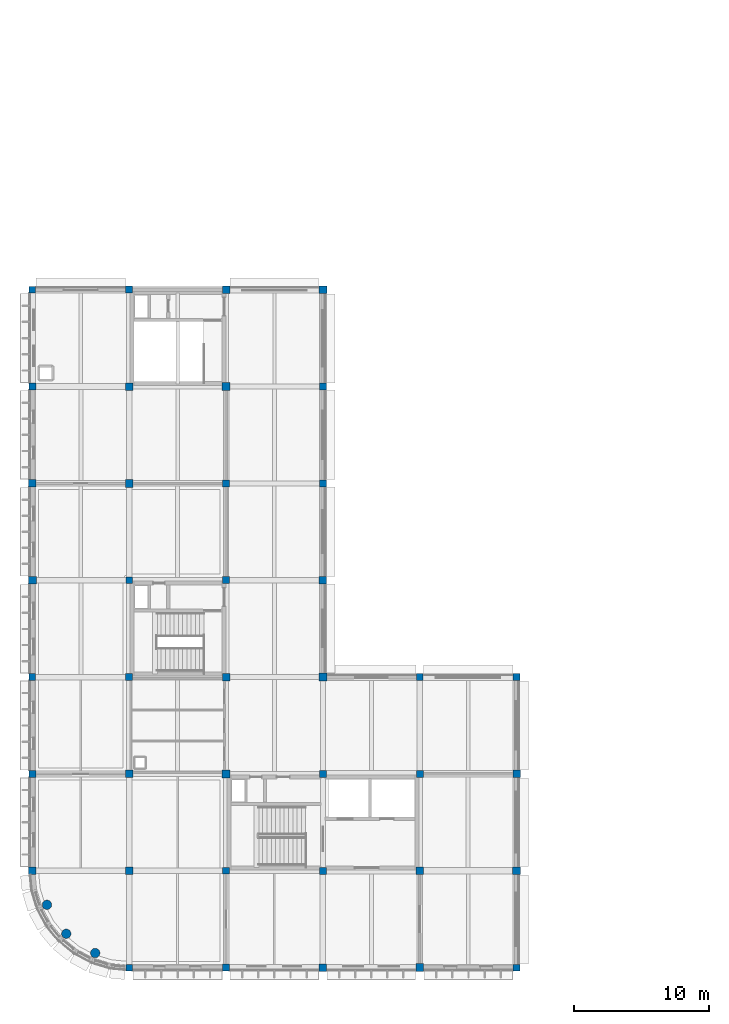
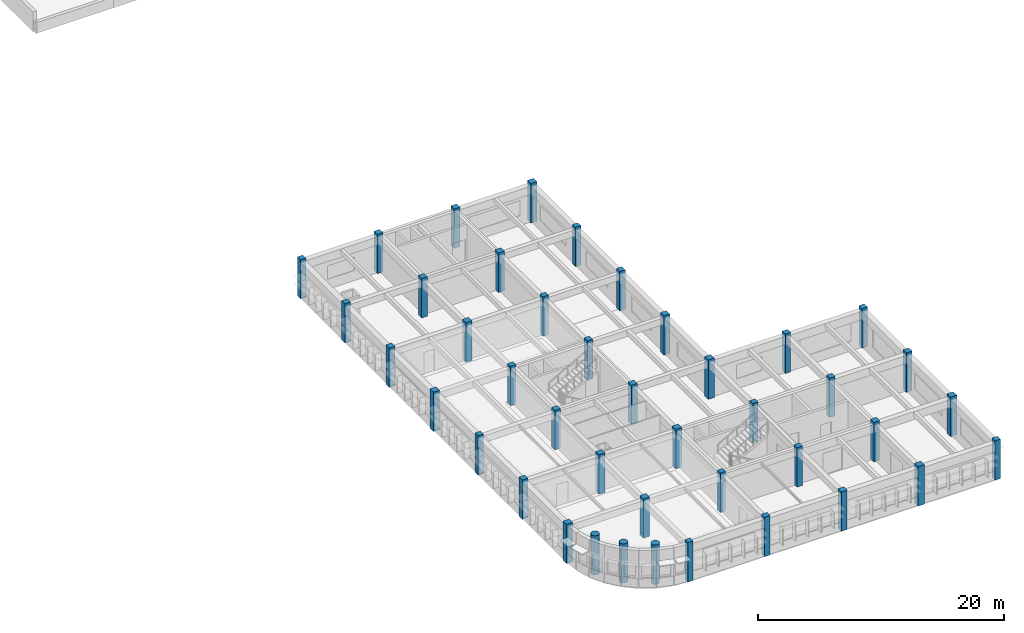
# One storey, part 1 of 19: 42 columns.
"""IFC4 building model written with IfcOpenShell, lengths in metres."""

import ifcopenshell
import ifcopenshell.guid

model = None  # the IFC model being written
_history = None  # IfcOwnerHistory: only IFC2X3 demands one
_inside = {}  # id of a spatial element -> (the spatial element, [elements in it])
_under = {}  # id of a project, library or spatial element -> (it, [spatial elements below it])
_declared = {}  # id of a project -> (the project, [libraries it declares])
_typed = {}  # id of a type object -> (the type object, [elements of that type])
_made_of = {}  # id of a material, layer set ... -> (it, [elements and type objects made of it])


def new_model(schema):
    """Start an empty IFC model of exactly this schema.

    Asked for "IFC4X3", IfcOpenShell would pick the latest addendum, in which some entities
    have other attributes; the version numbers below select the first issue.
    IFC2X3 requires an IfcOwnerHistory on every rooted entity: one is made here for all.
    """
    global model, _history
    if schema == "IFC4X3":
        model = ifcopenshell.file(schema_version=(4, 3, 0, 0))
    else:
        model = ifcopenshell.file(schema=schema)
    _inside.clear()
    _under.clear()
    _declared.clear()
    _typed.clear()
    _made_of.clear()
    _history = None
    if model.schema == "IFC2X3":
        org = make("IfcOrganization", Name="unknown")
        user = make(
            "IfcPersonAndOrganization",
            ThePerson=make("IfcPerson", FamilyName="unknown"),
            TheOrganization=org,
        )
        app = make(
            "IfcApplication",
            ApplicationDeveloper=org,
            Version="unknown",
            ApplicationFullName="unknown",
            ApplicationIdentifier="unknown",
        )
        _history = make(
            "IfcOwnerHistory",
            OwningUser=user,
            OwningApplication=app,
            ChangeAction="ADDED",
            CreationDate=0,
        )
    return model


def make(cls, **values):
    """One entity of the class cls with the attributes given. An attribute that is None is left unset."""
    return model.create_entity(
        cls, **{name: value for name, value in values.items() if value is not None}
    )


def rooted(cls, **values):
    """An entity with a GlobalId (a new one), such as an element, a storey or a relation."""
    return make(cls, GlobalId=ifcopenshell.guid.new(), OwnerHistory=_history, **values)


def si_unit(unit_type, name, prefix=None):
    """IfcSIUnit, for example si_unit("LENGTHUNIT", "METRE", prefix="MILLI")."""
    return make("IfcSIUnit", UnitType=unit_type, Prefix=prefix, Name=name)


def assignment(units):
    """IfcUnitAssignment: the units of a project."""
    return None if units is None else make("IfcUnitAssignment", Units=units)


def point(xyz):
    """IfcCartesianPoint."""
    return None if xyz is None else make("IfcCartesianPoint", Coordinates=xyz)


def direction(xyz):
    """IfcDirection."""
    return None if xyz is None else make("IfcDirection", DirectionRatios=xyz)


def frame(location, z_axis=None, x_axis=None):
    """IfcAxis2Placement3D, a coordinate frame: its origin and axes. An axis left out is left unset."""
    return make(
        "IfcAxis2Placement3D",
        Location=point(location),
        Axis=direction(z_axis),
        RefDirection=direction(x_axis),
    )


def frame_2d(location, x_axis=None):
    """IfcAxis2Placement2D, a coordinate frame in the plane: its origin and x axis."""
    return make(
        "IfcAxis2Placement2D", Location=point(location), RefDirection=direction(x_axis)
    )


def origin():
    """The frame at (0, 0, 0) with its axes left unset."""
    return frame((0.0, 0.0, 0.0))


def origin_2d():
    """The frame at (0, 0) in the plane with its x axis left unset."""
    return frame_2d((0.0, 0.0))


def place(relative_to, where):
    """IfcLocalPlacement: puts the frame where relative to a parent placement (None: the world)."""
    return make(
        "IfcLocalPlacement", PlacementRelTo=relative_to, RelativePlacement=where
    )


def context(
    kind, dimensions, precision=None, world=None, true_north=None, identifier=None
):
    """IfcGeometricRepresentationContext, for example the 3D "Model" context."""
    return make(
        "IfcGeometricRepresentationContext",
        ContextIdentifier=identifier,
        ContextType=kind,
        CoordinateSpaceDimension=dimensions,
        Precision=precision,
        WorldCoordinateSystem=world,
        TrueNorth=true_north,
    )


def subcontext(parent, identifier, kind, view, scale=None):
    """IfcGeometricRepresentationSubContext, for example "Body" below "Model"."""
    return make(
        "IfcGeometricRepresentationSubContext",
        ContextIdentifier=identifier,
        ContextType=kind,
        ParentContext=parent,
        TargetScale=scale,
        TargetView=view,
    )


def project(units=None, contexts=None):
    """IfcProject with its units and contexts."""
    return rooted(
        "IfcProject",
        Name="project",
        RepresentationContexts=contexts,
        UnitsInContext=assignment(units),
    )


def spatial(cls, under=None, at=None, **own):
    """A site, building, storey or space (cls), placed at a placement, below another one or the project."""
    s = rooted(cls, ObjectPlacement=at, **own)
    if under is not None:
        _under.setdefault(under.id(), (under, []))[1].append(s)
    return s


def profile(cls, at=None, kind="AREA", **sizes):
    """A parametric profile (cls). Its sizes go by their IFC names, for example OverallWidth=200.0."""
    return make(cls, ProfileType=kind, Position=at, **sizes)


def rectangle(**sizes):
    """IfcRectangleProfileDef."""
    return profile("IfcRectangleProfileDef", **sizes)


def circle(**sizes):
    """IfcCircleProfileDef."""
    return profile("IfcCircleProfileDef", **sizes)


def extrude(swept, where, along, depth):
    """IfcExtrudedAreaSolid: the profile swept, set in the frame where, extruded along a direction by depth."""
    return make(
        "IfcExtrudedAreaSolid",
        SweptArea=swept,
        Position=where,
        ExtrudedDirection=direction(along),
        Depth=depth,
    )


def shape(context_of_items, identifier, shape_type, items):
    """IfcShapeRepresentation: the items that make up one representation, for example the "Body"."""
    return make(
        "IfcShapeRepresentation",
        ContextOfItems=context_of_items,
        RepresentationIdentifier=identifier,
        RepresentationType=shape_type,
        Items=items,
    )


def material(Name=None, Category=None):
    """IfcMaterial."""
    return make("IfcMaterial", Name=Name, Category=Category)


def material_profile(
    of_material, cross_section, Name=None, Category=None, Priority=None
):
    """IfcMaterialProfile: a cross section and its material."""
    return make(
        "IfcMaterialProfile",
        Name=Name,
        Material=of_material,
        Profile=cross_section,
        Priority=Priority,
        Category=Category,
    )


def profile_set(profiles, Name=None, composite=None):
    """IfcMaterialProfileSet."""
    return make(
        "IfcMaterialProfileSet",
        Name=Name,
        MaterialProfiles=profiles,
        CompositeProfile=composite,
    )


def made_of(thing, what):
    """Note that an element or type object is made of a material, layer set ...; save() writes the relation."""
    if what is not None:
        _made_of.setdefault(what.id(), (what, []))[1].append(thing)
    return thing


def type_object(cls, material=None, **own):
    """A type object (cls), such as IfcWallType, which elements share."""
    return made_of(rooted(cls, **own), material)


def element(
    cls,
    number,
    at=None,
    inside=None,
    cuts=None,
    type_object=None,
    material=None,
    context=None,
    identifier="Body",
    shape_type=None,
    held_by="IfcProductDefinitionShape",
    body=None,
    shapes=None,
    **own,
):
    """One element of the class cls, such as IfcWall. Its Tag is "e" and its number.

    at: its placement. inside: the storey or other place that contains it. cuts: it is an
    opening in that element (IfcRelVoidsElement). A single representation is given by context,
    identifier, shape_type and body (its items); several are given by shapes. held_by: the class
    of the entity that holds the representations. save() writes the other relations.
    """
    e = rooted(cls, Tag="e%d" % number, ObjectPlacement=at, **own)
    if body is not None:
        shapes = [shape(context, identifier, shape_type, body)]
    if shapes is not None:
        e.Representation = make(held_by, Representations=shapes)
    if inside is not None:
        _inside.setdefault(inside.id(), (inside, []))[1].append(e)
    if cuts is not None:
        rooted(
            "IfcRelVoidsElement", RelatingBuildingElement=cuts, RelatedOpeningElement=e
        )
    if type_object is not None:
        _typed.setdefault(type_object.id(), (type_object, []))[1].append(e)
    return made_of(e, material)


def aggregate(whole, parts):
    """IfcRelAggregates: a whole, such as a stair, and the parts it consists of."""
    return rooted("IfcRelAggregates", RelatingObject=whole, RelatedObjects=parts)


def save(model, path):
    """Write the relations noted so far, then the file.

    IfcRelAggregates (storeys below a building ...), IfcRelContainedInSpatialStructure (elements
    in a storey), IfcRelDefinesByType, IfcRelAssociatesMaterial and IfcRelDeclares: one each for
    every whole, place, type object, material and project.
    """
    for whole, parts in _under.values():
        aggregate(whole, parts)
    for where, things in _inside.values():
        rooted(
            "IfcRelContainedInSpatialStructure",
            RelatedElements=things,
            RelatingStructure=where,
        )
    for kind, things in _typed.values():
        rooted("IfcRelDefinesByType", RelatedObjects=things, RelatingType=kind)
    for what, things in _made_of.values():
        rooted("IfcRelAssociatesMaterial", RelatedObjects=things, RelatingMaterial=what)
    for by, libraries in _declared.values():
        rooted("IfcRelDeclares", RelatingContext=by, RelatedDefinitions=libraries)
    model.write(path)


model = new_model("IFC4")

# Units and contexts
model_context = context("Model", 3, precision=1e-05, world=origin(), true_north=direction((0.0, 1.0)))
body_context = subcontext(model_context, "Body", "Model", "MODEL_VIEW")
ifc_project = project(units=[si_unit("LENGTHUNIT", "METRE"), si_unit("AREAUNIT", "SQUARE_METRE"), si_unit("VOLUMEUNIT", "CUBIC_METRE"), si_unit("PLANEANGLEUNIT", "RADIAN"), si_unit("MASSUNIT", "GRAM", prefix="KILO")], contexts=[model_context])

# Site, building, storey
site_placement = place(None, origin())
site = spatial("IfcSite", under=ifc_project, at=site_placement, CompositionType="ELEMENT")
building_placement = place(site_placement, origin())
building = spatial("IfcBuilding", under=site, at=building_placement, Name="Thalmaran Polytechnic", CompositionType="ELEMENT")
storey_placement = place(building_placement, frame((0.0, 0.0, 26.699951171875)))
storey = spatial("IfcBuildingStorey", under=building, at=storey_placement, Name="L06", CompositionType="ELEMENT", Elevation=26.699951171875)

# Columns
ifc_material = material(Name="Concrete C40/50", Category="concrete")
ifc_material_profile_1 = material_profile(ifc_material, rectangle(XDim=0.550048828125, YDim=0.550048828125, at=origin_2d()), Name="RC 550x550")
ifc_profile_set_1 = profile_set([ifc_material_profile_1], Name="Concrete C40/50")
column_type_1 = type_object("IfcColumnType", Name="COL-C08", PredefinedType="COLUMN", material=ifc_profile_set_1)
for number, where, z_axis, x_axis, name in (
    (1, (0.0, 7.199951171875, 0.0), (0.0, 0.0, 1.0), (1.0, 0.0, 0.0), "Column C08 L06 (0,1)"),
    (2, (0.0, 36.0, 0.0), (0.0, 0.0, 1.0), (1.0, 0.0, 0.0), "Column C08 L06 (0,5)"),
    (3, (7.199951171875, 14.39990234375, 0.0), (0.0, 0.0, 1.0), (1.0, 0.0, 0.0), "Column C08 L06 (1,2)"),
    (4, (7.199951171875, 43.199951171875, 0.0), (0.0, 0.0, 1.0), (1.0, 0.0, 0.0), "Column C08 L06 (1,6)"),
    (5, (14.39990234375, 21.60009765625, 0.0), (0.0, 0.0, 1.0), (1.0, 0.0, 0.0), "Column C08 L06 (2,3)"),
    (6, (14.39990234375, 50.39990234375, 0.0), (0.0, 0.0, 1.0), (1.0, 0.0, 0.0), "Column C08 L06 (2,7)"),
    (7, (21.60009765625, 0.0, 0.0), (0.0, 0.0, 1.0), (1.0, 0.0, 0.0), "Column C08 L06 (3,0)"),
    (8, (21.60009765625, 28.800048828125, 0.0), (0.0, 0.0, 1.0), (1.0, 0.0, 0.0), "Column C08 L06 (3,4)"),
    (9, (28.800048828125, 7.199951171875, 0.0), (0.0, 0.0, 1.0), (1.0, 0.0, 0.0), "Column C08 L06 (4,1)"),
    (10, (36.0, 14.39990234375, 0.0), (0.0, 0.0, 1.0), (1.0, 0.0, 0.0), "Column C08 L06 (5,2)"),
):
    element("IfcColumn", number, at=place(storey_placement, frame(where, z_axis=z_axis, x_axis=x_axis)), inside=storey, type_object=column_type_1, Name=name, PredefinedType="COLUMN", context=body_context, shape_type="SweptSolid", body=[
        extrude(rectangle(XDim=0.550048828125, YDim=0.550048828125, at=origin_2d()), origin(), (0.0, 0.0, 1.0), 3.900146484375),
    ])
ifc_material_profile_2 = material_profile(ifc_material, rectangle(XDim=0.5, YDim=0.5, at=origin_2d()), Name="RC 500x500")
ifc_profile_set_2 = profile_set([ifc_material_profile_2], Name="Concrete C40/50")
column_type_2 = type_object("IfcColumnType", Name="COL-C09", PredefinedType="COLUMN", material=ifc_profile_set_2)
for number, where, z_axis, x_axis, name in (
    (11, (0.0, 21.60009765625, 0.0), (0.0, 0.0, 1.0), (1.0, 0.0, 0.0), "Column C09 L06 (0,3)"),
    (12, (0.0, 50.39990234375, 0.0), (0.0, 0.0, 1.0), (1.0, 0.0, 0.0), "Column C09 L06 (0,7)"),
    (13, (7.199951171875, 0.0, 0.0), (0.0, 0.0, 1.0), (1.0, 0.0, 0.0), "Column C09 L06 (1,0)"),
    (14, (7.199951171875, 28.800048828125, 0.0), (0.0, 0.0, 1.0), (1.0, 0.0, 0.0), "Column C09 L06 (1,4)"),
    (15, (14.39990234375, 7.199951171875, 0.0), (0.0, 0.0, 1.0), (1.0, 0.0, 0.0), "Column C09 L06 (2,1)"),
    (16, (14.39990234375, 36.0, 0.0), (0.0, 0.0, 1.0), (1.0, 0.0, 0.0), "Column C09 L06 (2,5)"),
    (17, (21.60009765625, 14.39990234375, 0.0), (0.0, 0.0, 1.0), (1.0, 0.0, 0.0), "Column C09 L06 (3,2)"),
    (18, (21.60009765625, 43.199951171875, 0.0), (0.0, 0.0, 1.0), (1.0, 0.0, 0.0), "Column C09 L06 (3,6)"),
    (19, (28.800048828125, 21.60009765625, 0.0), (0.0, 0.0, 1.0), (1.0, 0.0, 0.0), "Column C09 L06 (4,3)"),
    (20, (36.0, 0.0, 0.0), (0.0, 0.0, 1.0), (1.0, 0.0, 0.0), "Column C09 L06 (5,0)"),
):
    element("IfcColumn", number, at=place(storey_placement, frame(where, z_axis=z_axis, x_axis=x_axis)), inside=storey, type_object=column_type_2, Name=name, PredefinedType="COLUMN", context=body_context, shape_type="SweptSolid", body=[
        extrude(rectangle(XDim=0.5, YDim=0.5, at=origin_2d()), origin(), (0.0, 0.0, 1.0), 3.900146484375),
    ])
ifc_material_profile_3 = material_profile(ifc_material, circle(Radius=0.35009765625, at=origin_2d()), Name="RC 700 DIA")
ifc_profile_set_3 = profile_set([ifc_material_profile_3], Name="Concrete C40/50")
column_type_3 = type_object("IfcColumnType", Name="COL-C15", PredefinedType="COLUMN", material=ifc_profile_set_3)
for number, where, z_axis, x_axis, name in (
    (21, (1.083984375, 4.666748046875, 0.0), (0.0, 0.0, 1.0), (1.0, 0.0, 0.0), "Prow Column SWP1 L06"),
    (22, (2.51904296875, 2.51904296875, 0.0), (0.0, 0.0, 1.0), (1.0, 0.0, 0.0), "Prow Column SWP2 L06"),
    (23, (4.666748046875, 1.083984375, 0.0), (0.0, 0.0, 1.0), (1.0, 0.0, 0.0), "Prow Column SWP3 L06"),
):
    element("IfcColumn", number, at=place(storey_placement, frame(where, z_axis=z_axis, x_axis=x_axis)), inside=storey, type_object=column_type_3, Name=name, PredefinedType="COLUMN", context=body_context, shape_type="SweptSolid", body=[
        extrude(circle(Radius=0.35009765625, at=origin_2d()), origin(), (0.0, 0.0, 1.0), 3.900146484375),
    ])
ifc_material_profile_4 = material_profile(ifc_material, rectangle(XDim=0.580078125, YDim=0.580078125, at=origin_2d()), Name="RC 580x580")
ifc_profile_set_4 = profile_set([ifc_material_profile_4], Name="Concrete C40/50")
column_type_4 = type_object("IfcColumnType", Name="COL-ZC07", PredefinedType="COLUMN", material=ifc_profile_set_4)
for number, where, z_axis, x_axis, name in (
    (24, (0.0, 28.800048828125, 0.0), (0.0, 0.0, 1.0), (1.0, 0.0, 0.0), "Column ZC07 L06 (0,4)"),
    (25, (7.199951171875, 7.199951171875, 0.0), (0.0, 0.0, 1.0), (1.0, 0.0, 0.0), "Column ZC07 L06 (1,1)"),
    (26, (7.199951171875, 36.0, 0.0), (0.0, 0.0, 1.0), (1.0, 0.0, 0.0), "Column ZC07 L06 (1,5)"),
    (27, (14.39990234375, 14.39990234375, 0.0), (0.0, 0.0, 1.0), (1.0, 0.0, 0.0), "Column ZC07 L06 (2,2)"),
    (28, (14.39990234375, 43.199951171875, 0.0), (0.0, 0.0, 1.0), (1.0, 0.0, 0.0), "Column ZC07 L06 (2,6)"),
    (29, (21.60009765625, 21.60009765625, 0.0), (0.0, 0.0, 1.0), (1.0, 0.0, 0.0), "Column ZC07 L06 (3,3)"),
    (30, (21.60009765625, 50.39990234375, 0.0), (0.0, 0.0, 1.0), (1.0, 0.0, 0.0), "Column ZC07 L06 (3,7)"),
    (31, (28.800048828125, 0.0, 0.0), (0.0, 0.0, 1.0), (1.0, 0.0, 0.0), "Column ZC07 L06 (4,0)"),
    (32, (36.0, 7.199951171875, 0.0), (0.0, 0.0, 1.0), (1.0, 0.0, 0.0), "Column ZC07 L06 (5,1)"),
):
    element("IfcColumn", number, at=place(storey_placement, frame(where, z_axis=z_axis, x_axis=x_axis)), inside=storey, type_object=column_type_4, Name=name, PredefinedType="COLUMN", context=body_context, shape_type="SweptSolid", body=[
        extrude(rectangle(XDim=0.580078125, YDim=0.580078125, at=origin_2d()), origin(), (0.0, 0.0, 1.0), 3.900146484375),
    ])
ifc_material_profile_5 = material_profile(ifc_material, rectangle(XDim=0.52001953125, YDim=0.52001953125, at=origin_2d()), Name="RC 520x520")
ifc_profile_set_5 = profile_set([ifc_material_profile_5], Name="Concrete C40/50")
column_type_5 = type_object("IfcColumnType", Name="COL-ZC08", PredefinedType="COLUMN", material=ifc_profile_set_5)
for number, where, z_axis, x_axis, name in (
    (33, (0.0, 14.39990234375, 0.0), (0.0, 0.0, 1.0), (1.0, 0.0, 0.0), "Column ZC08 L06 (0,2)"),
    (34, (0.0, 43.199951171875, 0.0), (0.0, 0.0, 1.0), (1.0, 0.0, 0.0), "Column ZC08 L06 (0,6)"),
    (35, (7.199951171875, 21.60009765625, 0.0), (0.0, 0.0, 1.0), (1.0, 0.0, 0.0), "Column ZC08 L06 (1,3)"),
    (36, (7.199951171875, 50.39990234375, 0.0), (0.0, 0.0, 1.0), (1.0, 0.0, 0.0), "Column ZC08 L06 (1,7)"),
    (37, (14.39990234375, 0.0, 0.0), (0.0, 0.0, 1.0), (1.0, 0.0, 0.0), "Column ZC08 L06 (2,0)"),
    (38, (14.39990234375, 28.800048828125, 0.0), (0.0, 0.0, 1.0), (1.0, 0.0, 0.0), "Column ZC08 L06 (2,4)"),
    (39, (21.60009765625, 7.199951171875, 0.0), (0.0, 0.0, 1.0), (1.0, 0.0, 0.0), "Column ZC08 L06 (3,1)"),
    (40, (21.60009765625, 36.0, 0.0), (0.0, 0.0, 1.0), (1.0, 0.0, 0.0), "Column ZC08 L06 (3,5)"),
    (41, (28.800048828125, 14.39990234375, 0.0), (0.0, 0.0, 1.0), (1.0, 0.0, 0.0), "Column ZC08 L06 (4,2)"),
    (42, (36.0, 21.60009765625, 0.0), (0.0, 0.0, 1.0), (1.0, 0.0, 0.0), "Column ZC08 L06 (5,3)"),
):
    element("IfcColumn", number, at=place(storey_placement, frame(where, z_axis=z_axis, x_axis=x_axis)), inside=storey, type_object=column_type_5, Name=name, PredefinedType="COLUMN", context=body_context, shape_type="SweptSolid", body=[
        extrude(rectangle(XDim=0.52001953125, YDim=0.52001953125, at=origin_2d()), origin(), (0.0, 0.0, 1.0), 3.900146484375),
    ])

save(model, "model.ifc")
